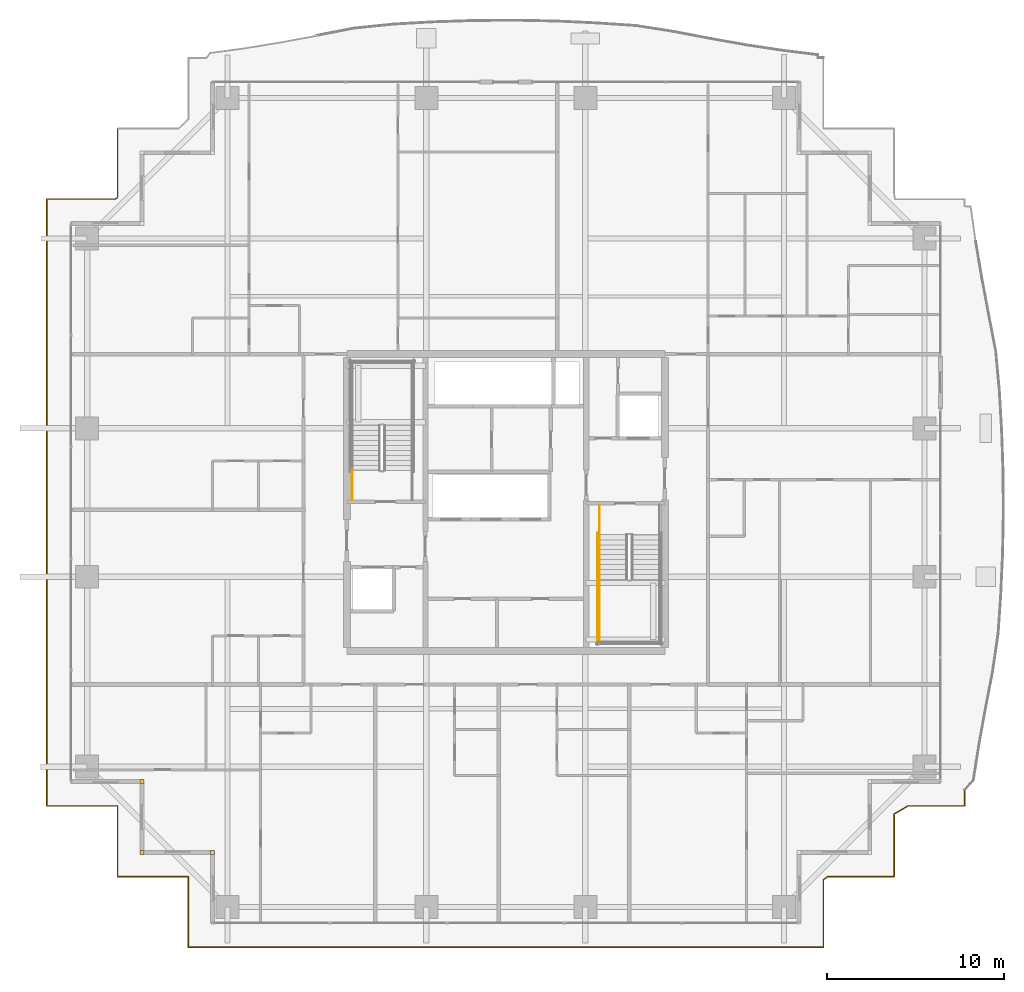
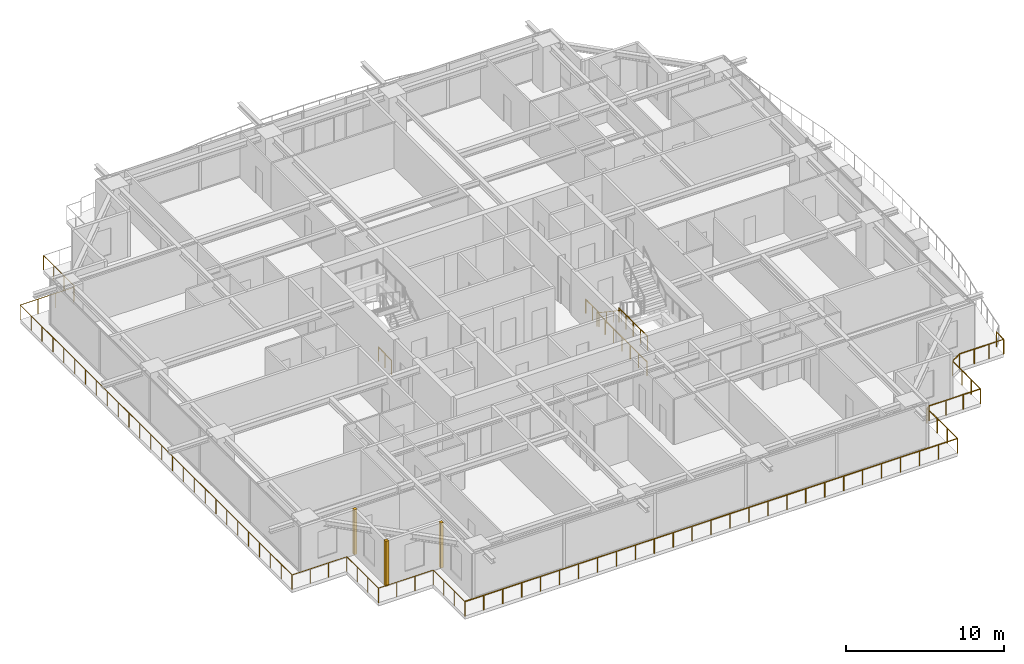
# One storey, part 29 of 33: 7 railings, 3 coverings.
"""IFC4 building model written with IfcOpenShell, lengths in metres."""

from ifc_helpers import new_model, si_unit, direction, frame, origin, origin_2d, place, context, subcontext, project, spatial, rectangle, circle, extrude, source, transform, mapped, material, layer, layer_set, type_object, element, save


model = new_model("IFC4")

# Units and contexts
model_context = context("Model", 3, precision=1e-05, world=origin(), true_north=direction((0.0, 1.0)))
body_context = subcontext(model_context, "Body", "Model", "MODEL_VIEW")
ifc_project = project(units=[si_unit("LENGTHUNIT", "METRE"), si_unit("AREAUNIT", "SQUARE_METRE"), si_unit("VOLUMEUNIT", "CUBIC_METRE"), si_unit("PLANEANGLEUNIT", "RADIAN"), si_unit("MASSUNIT", "GRAM", prefix="KILO")], contexts=[model_context])

# Site, building, storey
site_placement = place(None, origin())
site = spatial("IfcSite", under=ifc_project, at=site_placement, CompositionType="ELEMENT")
building_placement = place(site_placement, origin())
building = spatial("IfcBuilding", under=site, at=building_placement, Name="Serunith Strait Residences", CompositionType="ELEMENT")
storey_placement = place(building_placement, frame((0.0, 0.0, 150.14990234375)))
storey = spatial("IfcBuildingStorey", under=building, at=storey_placement, Name="L37", CompositionType="ELEMENT", Elevation=150.14990234375)

# Railings
ifc_material_1 = material(Name="Stainless Steel & Laminated Glass Balustrade", Category="steel")
railing_type_1 = type_object("IfcRailingType", Name="RLG-BALC-1150", PredefinedType="BALUSTRADE", material=ifc_material_1)
railing_1_placement = place(storey_placement, frame((58.3798828125, 8.923583984375, -0.0498046875)))
element("IfcRailing", 1, at=railing_1_placement, inside=storey, type_object=railing_type_1, Name="L37 Swirling Balcony Perimeter Balustrade 7", PredefinedType="BALUSTRADE", context=body_context, shape_type="SweptSolid", body=[
    extrude(circle(Radius=0.02392578125, at=origin_2d()), frame((0.0, -0.001953125, 1.1259765625), z_axis=(0.0, -1.0, 0.0), x_axis=(1.0, 0.0, 0.0)), (0.0, 0.0, 1.0), 0.899658203125),
    extrude(circle(Radius=0.02392578125, at=origin_2d()), frame((-0.001953125, -0.903564453125, 1.1259765625), z_axis=(-1.0, 0.0, 0.0), x_axis=(0.0, -1.0, 0.0)), (0.0, 0.0, 1.0), 3.217041015625),
    extrude(circle(Radius=0.02392578125, at=origin_2d()), frame((-3.22265625, -0.904541015625, 1.1259765625), z_axis=(-0.859222432477, -0.511602200472, 0.0), x_axis=(0.511602200472, -0.859222432477, 0.0)), (0.0, 0.0, 1.0), 0.902587890625),
    extrude(circle(Radius=0.02392578125, at=origin_2d()), frame((-4.0, -1.369384765625, 1.1259765625), z_axis=(0.0, -1.0, 0.0), x_axis=(1.0, 0.0, 0.0)), (0.0, 0.0, 1.0), 3.5322265625),
    extrude(circle(Radius=0.02392578125, at=origin_2d()), frame((-4.001953125, -4.903564453125, 1.1259765625), z_axis=(-1.0, 0.0, 0.0), x_axis=(0.0, -1.0, 0.0)), (0.0, 0.0, 1.0), 3.774169921875),
    extrude(circle(Radius=0.02392578125, at=origin_2d()), frame((-7.779541015625, -4.90478515625, 1.1259765625), z_axis=(-0.778021630841, -0.62823748849, 0.0), x_axis=(0.62823748849, -0.778021630841, 0.0)), (0.0, 0.0, 1.0), 0.28125),
    extrude(circle(Radius=0.02392578125, at=origin_2d()), frame((-8.0, -5.084716796875, 1.1259765625), z_axis=(0.0, -1.0, 0.0), x_axis=(1.0, 0.0, 0.0)), (0.0, 0.0, 1.0), 3.81689453125),
    extrude(circle(Radius=0.02392578125, at=origin_2d()), frame((-8.001953125, -8.903564453125, 1.1259765625), z_axis=(-1.0, 0.0, 0.0), x_axis=(0.0, -1.0, 0.0)), (0.0, 0.0, 1.0), 35.9560546875),
    extrude(circle(Radius=0.02099609375, at=origin_2d()), origin(), (0.0, 0.0, 1.0), 1.099853515625),
    extrude(circle(Radius=0.02099609375, at=origin_2d()), frame((0.0, -0.903564453125, 0.0)), (0.0, 0.0, 1.0), 1.099853515625),
    extrude(circle(Radius=0.02099609375, at=origin_2d()), frame((-1.07373046875, -0.903564453125, 0.0)), (0.0, 0.0, 1.0), 1.099853515625),
    extrude(circle(Radius=0.02099609375, at=origin_2d()), frame((-2.147216796875, -0.903564453125, 0.0)), (0.0, 0.0, 1.0), 1.099853515625),
    extrude(circle(Radius=0.02099609375, at=origin_2d()), frame((-3.220947265625, -0.903564453125, 0.0)), (0.0, 0.0, 1.0), 1.099853515625),
    extrude(circle(Radius=0.02099609375, at=origin_2d()), frame((-4.0, -1.367431640625, 0.0)), (0.0, 0.0, 1.0), 1.099853515625),
    extrude(circle(Radius=0.02099609375, at=origin_2d()), frame((-4.0, -2.546142578125, 0.0)), (0.0, 0.0, 1.0), 1.099853515625),
    extrude(circle(Radius=0.02099609375, at=origin_2d()), frame((-4.0, -3.724853515625, 0.0)), (0.0, 0.0, 1.0), 1.099853515625),
    extrude(circle(Radius=0.02099609375, at=origin_2d()), frame((-4.0, -4.903564453125, 0.0)), (0.0, 0.0, 1.0), 1.099853515625),
    extrude(circle(Radius=0.02099609375, at=origin_2d()), frame((-5.25927734375, -4.903564453125, 0.0)), (0.0, 0.0, 1.0), 1.099853515625),
    extrude(circle(Radius=0.02099609375, at=origin_2d()), frame((-6.518798828125, -4.903564453125, 0.0)), (0.0, 0.0, 1.0), 1.099853515625),
    extrude(circle(Radius=0.02099609375, at=origin_2d()), frame((-7.778076171875, -4.903564453125, 0.0)), (0.0, 0.0, 1.0), 1.099853515625),
    extrude(circle(Radius=0.02099609375, at=origin_2d()), frame((-8.0, -5.082763671875, 0.0)), (0.0, 0.0, 1.0), 1.099853515625),
    extrude(circle(Radius=0.02099609375, at=origin_2d()), frame((-8.0, -6.3564453125, 0.0)), (0.0, 0.0, 1.0), 1.099853515625),
    extrude(circle(Radius=0.02099609375, at=origin_2d()), frame((-8.0, -7.6298828125, 0.0)), (0.0, 0.0, 1.0), 1.099853515625),
    extrude(circle(Radius=0.02099609375, at=origin_2d()), frame((-8.0, -8.903564453125, 0.0)), (0.0, 0.0, 1.0), 1.099853515625),
    extrude(circle(Radius=0.02099609375, at=origin_2d()), frame((-9.383056640625, -8.903564453125, 0.0)), (0.0, 0.0, 1.0), 1.099853515625),
    extrude(circle(Radius=0.02099609375, at=origin_2d()), frame((-10.76611328125, -8.903564453125, 0.0)), (0.0, 0.0, 1.0), 1.099853515625),
    extrude(circle(Radius=0.02099609375, at=origin_2d()), frame((-12.149169921875, -8.903564453125, 0.0)), (0.0, 0.0, 1.0), 1.099853515625),
    extrude(circle(Radius=0.02099609375, at=origin_2d()), frame((-13.5322265625, -8.903564453125, 0.0)), (0.0, 0.0, 1.0), 1.099853515625),
    extrude(circle(Radius=0.02099609375, at=origin_2d()), frame((-14.915283203125, -8.903564453125, 0.0)), (0.0, 0.0, 1.0), 1.099853515625),
    extrude(circle(Radius=0.02099609375, at=origin_2d()), frame((-16.29833984375, -8.903564453125, 0.0)), (0.0, 0.0, 1.0), 1.099853515625),
    extrude(circle(Radius=0.02099609375, at=origin_2d()), frame((-17.681640625, -8.903564453125, 0.0)), (0.0, 0.0, 1.0), 1.099853515625),
    extrude(circle(Radius=0.02099609375, at=origin_2d()), frame((-19.064697265625, -8.903564453125, 0.0)), (0.0, 0.0, 1.0), 1.099853515625),
    extrude(circle(Radius=0.02099609375, at=origin_2d()), frame((-20.44775390625, -8.903564453125, 0.0)), (0.0, 0.0, 1.0), 1.099853515625),
    extrude(circle(Radius=0.02099609375, at=origin_2d()), frame((-21.830810546875, -8.903564453125, 0.0)), (0.0, 0.0, 1.0), 1.099853515625),
    extrude(circle(Radius=0.02099609375, at=origin_2d()), frame((-23.2138671875, -8.903564453125, 0.0)), (0.0, 0.0, 1.0), 1.099853515625),
    extrude(circle(Radius=0.02099609375, at=origin_2d()), frame((-24.596923828125, -8.903564453125, 0.0)), (0.0, 0.0, 1.0), 1.099853515625),
    extrude(circle(Radius=0.02099609375, at=origin_2d()), frame((-25.97998046875, -8.903564453125, 0.0)), (0.0, 0.0, 1.0), 1.099853515625),
    extrude(circle(Radius=0.02099609375, at=origin_2d()), frame((-27.363037109375, -8.903564453125, 0.0)), (0.0, 0.0, 1.0), 1.099853515625),
    extrude(circle(Radius=0.02099609375, at=origin_2d()), frame((-28.74609375, -8.903564453125, 0.0)), (0.0, 0.0, 1.0), 1.099853515625),
    extrude(circle(Radius=0.02099609375, at=origin_2d()), frame((-30.129150390625, -8.903564453125, 0.0)), (0.0, 0.0, 1.0), 1.099853515625),
    extrude(circle(Radius=0.02099609375, at=origin_2d()), frame((-31.51220703125, -8.903564453125, 0.0)), (0.0, 0.0, 1.0), 1.099853515625),
    extrude(circle(Radius=0.02099609375, at=origin_2d()), frame((-32.895263671875, -8.903564453125, 0.0)), (0.0, 0.0, 1.0), 1.099853515625),
    extrude(circle(Radius=0.02099609375, at=origin_2d()), frame((-34.2783203125, -8.903564453125, 0.0)), (0.0, 0.0, 1.0), 1.099853515625),
    extrude(circle(Radius=0.02099609375, at=origin_2d()), frame((-35.66162109375, -8.903564453125, 0.0)), (0.0, 0.0, 1.0), 1.099853515625),
    extrude(circle(Radius=0.02099609375, at=origin_2d()), frame((-37.044677734375, -8.903564453125, 0.0)), (0.0, 0.0, 1.0), 1.099853515625),
    extrude(circle(Radius=0.02099609375, at=origin_2d()), frame((-38.427734375, -8.903564453125, 0.0)), (0.0, 0.0, 1.0), 1.099853515625),
    extrude(circle(Radius=0.02099609375, at=origin_2d()), frame((-39.810791015625, -8.903564453125, 0.0)), (0.0, 0.0, 1.0), 1.099853515625),
    extrude(circle(Radius=0.02099609375, at=origin_2d()), frame((-41.19384765625, -8.903564453125, 0.0)), (0.0, 0.0, 1.0), 1.099853515625),
    extrude(circle(Radius=0.02099609375, at=origin_2d()), frame((-42.576904296875, -8.903564453125, 0.0)), (0.0, 0.0, 1.0), 1.099853515625),
    extrude(circle(Radius=0.02099609375, at=origin_2d()), frame((-43.9599609375, -8.903564453125, 0.0)), (0.0, 0.0, 1.0), 1.099853515625),
])
railing_2_placement = place(storey_placement, frame((14.419921875, 0.02001953125, -0.0498046875)))
element("IfcRailing", 2, at=railing_2_placement, inside=storey, type_object=railing_type_1, Name="L37 Swirling Balcony Perimeter Balustrade 8", PredefinedType="BALUSTRADE", context=body_context, shape_type="SweptSolid", body=[
    extrude(circle(Radius=0.02392578125, at=origin_2d()), frame((0.0, 0.001953125, 1.1259765625), z_axis=(0.0, 1.0, 0.0), x_axis=(-1.0, 0.0, 0.0)), (0.0, 0.0, 1.0), 3.99609375),
    extrude(circle(Radius=0.02392578125, at=origin_2d()), frame((-0.001953125, 4.0, 1.1259765625), z_axis=(-1.0, 0.0, 0.0), x_axis=(0.0, -1.0, 0.0)), (0.0, 0.0, 1.0), 3.99609375),
    extrude(circle(Radius=0.02392578125, at=origin_2d()), frame((-4.0, 4.001953125, 1.1259765625), z_axis=(0.0, 1.0, 0.0), x_axis=(-1.0, 0.0, 0.0)), (0.0, 0.0, 1.0), 3.99609375),
    extrude(circle(Radius=0.02392578125, at=origin_2d()), frame((-4.001953125, 8.0, 1.1259765625), z_axis=(-1.0, 0.0, 0.0), x_axis=(0.0, -1.0, 0.0)), (0.0, 0.0, 1.0), 3.99609375),
    extrude(circle(Radius=0.02392578125, at=origin_2d()), frame((-8.0, 8.001953125, 1.1259765625), z_axis=(0.0, 1.0, 0.0), x_axis=(-1.0, 0.0, 0.0)), (0.0, 0.0, 1.0), 34.35595703125),
    extrude(circle(Radius=0.02392578125, at=origin_2d()), frame((-7.998046875, 42.35986328125, 1.1259765625), z_axis=(1.0, 0.0, 0.0), x_axis=(0.0, 1.0, 0.0)), (0.0, 0.0, 1.0), 3.861083984375),
    extrude(circle(Radius=0.02392578125, at=origin_2d()), frame((-4.13330078125, 42.361083984375, 1.1259765625), z_axis=(0.808862567734, 0.587997743633, 0.0), x_axis=(-0.587997743633, 0.808862567734, 0.0)), (0.0, 0.0, 1.0), 0.162841796875),
    extrude(circle(Radius=0.02392578125, at=origin_2d()), frame((-4.0, 42.4599609375, 1.1259765625), z_axis=(0.0, 1.0, 0.0), x_axis=(-1.0, 0.0, 0.0)), (0.0, 0.0, 1.0), 3.89794921875),
    extrude(circle(Radius=0.02099609375, at=origin_2d()), origin(), (0.0, 0.0, 1.0), 1.099853515625),
    extrude(circle(Radius=0.02099609375, at=origin_2d()), frame((0.0, 1.333251953125, 0.0)), (0.0, 0.0, 1.0), 1.099853515625),
    extrude(circle(Radius=0.02099609375, at=origin_2d()), frame((0.0, 2.666748046875, 0.0)), (0.0, 0.0, 1.0), 1.099853515625),
    extrude(circle(Radius=0.02099609375, at=origin_2d()), frame((0.0, 4.0, 0.0)), (0.0, 0.0, 1.0), 1.099853515625),
    extrude(circle(Radius=0.02099609375, at=origin_2d()), frame((-1.333251953125, 4.0, 0.0)), (0.0, 0.0, 1.0), 1.099853515625),
    extrude(circle(Radius=0.02099609375, at=origin_2d()), frame((-2.666748046875, 4.0, 0.0)), (0.0, 0.0, 1.0), 1.099853515625),
    extrude(circle(Radius=0.02099609375, at=origin_2d()), frame((-4.0, 4.0, 0.0)), (0.0, 0.0, 1.0), 1.099853515625),
    extrude(circle(Radius=0.02099609375, at=origin_2d()), frame((-4.0, 5.333251953125, 0.0)), (0.0, 0.0, 1.0), 1.099853515625),
    extrude(circle(Radius=0.02099609375, at=origin_2d()), frame((-4.0, 6.666748046875, 0.0)), (0.0, 0.0, 1.0), 1.099853515625),
    extrude(circle(Radius=0.02099609375, at=origin_2d()), frame((-4.0, 8.0, 0.0)), (0.0, 0.0, 1.0), 1.099853515625),
    extrude(circle(Radius=0.02099609375, at=origin_2d()), frame((-5.333251953125, 8.0, 0.0)), (0.0, 0.0, 1.0), 1.099853515625),
    extrude(circle(Radius=0.02099609375, at=origin_2d()), frame((-6.666748046875, 8.0, 0.0)), (0.0, 0.0, 1.0), 1.099853515625),
    extrude(circle(Radius=0.02099609375, at=origin_2d()), frame((-8.0, 8.0, 0.0)), (0.0, 0.0, 1.0), 1.099853515625),
    extrude(circle(Radius=0.02099609375, at=origin_2d()), frame((-8.0, 9.37451171875, 0.0)), (0.0, 0.0, 1.0), 1.099853515625),
    extrude(circle(Radius=0.02099609375, at=origin_2d()), frame((-8.0, 10.748779296875, 0.0)), (0.0, 0.0, 1.0), 1.099853515625),
    extrude(circle(Radius=0.02099609375, at=origin_2d()), frame((-8.0, 12.123291015625, 0.0)), (0.0, 0.0, 1.0), 1.099853515625),
    extrude(circle(Radius=0.02099609375, at=origin_2d()), frame((-8.0, 13.49755859375, 0.0)), (0.0, 0.0, 1.0), 1.099853515625),
    extrude(circle(Radius=0.02099609375, at=origin_2d()), frame((-8.0, 14.8720703125, 0.0)), (0.0, 0.0, 1.0), 1.099853515625),
    extrude(circle(Radius=0.02099609375, at=origin_2d()), frame((-8.0, 16.246337890625, 0.0)), (0.0, 0.0, 1.0), 1.099853515625),
    extrude(circle(Radius=0.02099609375, at=origin_2d()), frame((-8.0, 17.620849609375, 0.0)), (0.0, 0.0, 1.0), 1.099853515625),
    extrude(circle(Radius=0.02099609375, at=origin_2d()), frame((-8.0, 18.9951171875, 0.0)), (0.0, 0.0, 1.0), 1.099853515625),
    extrude(circle(Radius=0.02099609375, at=origin_2d()), frame((-8.0, 20.36962890625, 0.0)), (0.0, 0.0, 1.0), 1.099853515625),
    extrude(circle(Radius=0.02099609375, at=origin_2d()), frame((-8.0, 21.743896484375, 0.0)), (0.0, 0.0, 1.0), 1.099853515625),
    extrude(circle(Radius=0.02099609375, at=origin_2d()), frame((-8.0, 23.118408203125, 0.0)), (0.0, 0.0, 1.0), 1.099853515625),
    extrude(circle(Radius=0.02099609375, at=origin_2d()), frame((-8.0, 24.49267578125, 0.0)), (0.0, 0.0, 1.0), 1.099853515625),
    extrude(circle(Radius=0.02099609375, at=origin_2d()), frame((-8.0, 25.8671875, 0.0)), (0.0, 0.0, 1.0), 1.099853515625),
    extrude(circle(Radius=0.02099609375, at=origin_2d()), frame((-8.0, 27.241455078125, 0.0)), (0.0, 0.0, 1.0), 1.099853515625),
    extrude(circle(Radius=0.02099609375, at=origin_2d()), frame((-8.0, 28.615966796875, 0.0)), (0.0, 0.0, 1.0), 1.099853515625),
    extrude(circle(Radius=0.02099609375, at=origin_2d()), frame((-8.0, 29.990234375, 0.0)), (0.0, 0.0, 1.0), 1.099853515625),
    extrude(circle(Radius=0.02099609375, at=origin_2d()), frame((-8.0, 31.36474609375, 0.0)), (0.0, 0.0, 1.0), 1.099853515625),
    extrude(circle(Radius=0.02099609375, at=origin_2d()), frame((-8.0, 32.739013671875, 0.0)), (0.0, 0.0, 1.0), 1.099853515625),
    extrude(circle(Radius=0.02099609375, at=origin_2d()), frame((-8.0, 34.113525390625, 0.0)), (0.0, 0.0, 1.0), 1.099853515625),
    extrude(circle(Radius=0.02099609375, at=origin_2d()), frame((-8.0, 35.48779296875, 0.0)), (0.0, 0.0, 1.0), 1.099853515625),
    extrude(circle(Radius=0.02099609375, at=origin_2d()), frame((-8.0, 36.8623046875, 0.0)), (0.0, 0.0, 1.0), 1.099853515625),
    extrude(circle(Radius=0.02099609375, at=origin_2d()), frame((-8.0, 38.236572265625, 0.0)), (0.0, 0.0, 1.0), 1.099853515625),
    extrude(circle(Radius=0.02099609375, at=origin_2d()), frame((-8.0, 39.611083984375, 0.0)), (0.0, 0.0, 1.0), 1.099853515625),
    extrude(circle(Radius=0.02099609375, at=origin_2d()), frame((-8.0, 40.9853515625, 0.0)), (0.0, 0.0, 1.0), 1.099853515625),
    extrude(circle(Radius=0.02099609375, at=origin_2d()), frame((-8.0, 42.35986328125, 0.0)), (0.0, 0.0, 1.0), 1.099853515625),
    extrude(circle(Radius=0.02099609375, at=origin_2d()), frame((-6.711669921875, 42.35986328125, 0.0)), (0.0, 0.0, 1.0), 1.099853515625),
    extrude(circle(Radius=0.02099609375, at=origin_2d()), frame((-5.42333984375, 42.35986328125, 0.0)), (0.0, 0.0, 1.0), 1.099853515625),
    extrude(circle(Radius=0.02099609375, at=origin_2d()), frame((-4.135009765625, 42.35986328125, 0.0)), (0.0, 0.0, 1.0), 1.099853515625),
    extrude(circle(Radius=0.02099609375, at=origin_2d()), frame((-4.0, 42.4580078125, 0.0)), (0.0, 0.0, 1.0), 1.099853515625),
    extrude(circle(Radius=0.02099609375, at=origin_2d()), frame((-4.0, 43.758544921875, 0.0)), (0.0, 0.0, 1.0), 1.099853515625),
    extrude(circle(Radius=0.02099609375, at=origin_2d()), frame((-4.0, 45.059326171875, 0.0)), (0.0, 0.0, 1.0), 1.099853515625),
    extrude(circle(Radius=0.02099609375, at=origin_2d()), frame((-4.0, 46.35986328125, 0.0)), (0.0, 0.0, 1.0), 1.099853515625),
])
ifc_material_2 = material(Name="Brushed stainless steel 316L", Category="steel")
railing_type_2 = type_object("IfcRailingType", Name="RLG-STAIR-GUARD", PredefinedType="BALUSTRADE", material=ifc_material_2)
railing_3_placement = place(storey_placement, frame((23.699951171875, 25.35009765625, 0.0)))
element("IfcRailing", 3, at=railing_3_placement, inside=storey, type_object=railing_type_2, Name="L37 ST-1 stair guard 9", PredefinedType="BALUSTRADE", context=body_context, shape_type="SweptSolid", body=[
    extrude(circle(Radius=0.02392578125, at=origin_2d()), frame((0.0, 0.001953125, 1.076171875), z_axis=(0.0, 1.0, 0.0), x_axis=(-1.0, 0.0, 0.0)), (0.0, 0.0, 1.0), 1.676025390625),
    extrude(circle(Radius=0.02099609375, at=origin_2d()), origin(), (0.0, 0.0, 1.0), 1.050048828125),
    extrude(circle(Radius=0.02099609375, at=origin_2d()), frame((0.0, 0.83984375, 0.0)), (0.0, 0.0, 1.0), 1.050048828125),
    extrude(circle(Radius=0.02099609375, at=origin_2d()), frame((0.0, 1.679931640625, 0.0)), (0.0, 0.0, 1.0), 1.050048828125),
])
railing_4_placement = place(storey_placement, frame((37.699951171875, 20.85009765625, 1.875)))
element("IfcRailing", 4, at=railing_4_placement, inside=storey, type_object=railing_type_2, Name="L37 ST-2 stair guard 3", PredefinedType="BALUSTRADE", context=body_context, shape_type="SweptSolid", body=[
    extrude(circle(Radius=0.02392578125, at=origin_2d()), frame((0.0, -0.001953125, 1.076171875), z_axis=(0.0, -1.0, 0.0), x_axis=(1.0, 0.0, 0.0)), (0.0, 0.0, 1.0), 3.59619140625),
    extrude(circle(Radius=0.02099609375, at=origin_2d()), origin(), (0.0, 0.0, 1.0), 1.050048828125),
    extrude(circle(Radius=0.02099609375, at=origin_2d()), frame((0.0, -0.89990234375, 0.0)), (0.0, 0.0, 1.0), 1.050048828125),
    extrude(circle(Radius=0.02099609375, at=origin_2d()), frame((0.0, -1.800048828125, 0.0)), (0.0, 0.0, 1.0), 1.050048828125),
    extrude(circle(Radius=0.02099609375, at=origin_2d()), frame((0.0, -2.7001953125, 0.0)), (0.0, 0.0, 1.0), 1.050048828125),
    extrude(circle(Radius=0.02099609375, at=origin_2d()), frame((0.0, -3.60009765625, 0.0)), (0.0, 0.0, 1.0), 1.050048828125),
])
railing_5_placement = place(storey_placement, frame((37.699951171875, 25.050048828125, 0.0)))
element("IfcRailing", 5, at=railing_5_placement, inside=storey, type_object=railing_type_2, Name="L37 ST-2 stair guard 8", PredefinedType="BALUSTRADE", context=body_context, shape_type="SweptSolid", body=[
    extrude(circle(Radius=0.02392578125, at=origin_2d()), frame((0.0, -0.001953125, 1.076171875), z_axis=(0.0, -1.0, 0.0), x_axis=(1.0, 0.0, 0.0)), (0.0, 0.0, 1.0), 1.676025390625),
    extrude(circle(Radius=0.02099609375, at=origin_2d()), origin(), (0.0, 0.0, 1.0), 1.050048828125),
    extrude(circle(Radius=0.02099609375, at=origin_2d()), frame((0.0, -0.83984375, 0.0)), (0.0, 0.0, 1.0), 1.050048828125),
    extrude(circle(Radius=0.02099609375, at=origin_2d()), frame((0.0, -1.679931640625, 0.0)), (0.0, 0.0, 1.0), 1.050048828125),
])
railing_6_placement = place(storey_placement, frame((37.60009765625, 23.469970703125, 0.0)))
element("IfcRailing", 6, at=railing_6_placement, inside=storey, type_object=railing_type_2, Name="L37 ST-2 stair guard 10", PredefinedType="BALUSTRADE", context=body_context, shape_type="SweptSolid", body=[
    extrude(circle(Radius=0.02392578125, at=origin_2d()), frame((0.0, -0.001953125, 1.076171875), z_axis=(0.0, -1.0, 0.0), x_axis=(1.0, 0.0, 0.0)), (0.0, 0.0, 1.0), 6.316162109375),
    extrude(circle(Radius=0.02099609375, at=origin_2d()), origin(), (0.0, 0.0, 1.0), 1.050048828125),
    extrude(circle(Radius=0.02099609375, at=origin_2d()), frame((0.0, -1.05322265625, 0.0)), (0.0, 0.0, 1.0), 1.050048828125),
    extrude(circle(Radius=0.02099609375, at=origin_2d()), frame((0.0, -2.106689453125, 0.0)), (0.0, 0.0, 1.0), 1.050048828125),
    extrude(circle(Radius=0.02099609375, at=origin_2d()), frame((0.0, -3.16015625, 0.0)), (0.0, 0.0, 1.0), 1.050048828125),
    extrude(circle(Radius=0.02099609375, at=origin_2d()), frame((0.0, -4.21337890625, 0.0)), (0.0, 0.0, 1.0), 1.050048828125),
    extrude(circle(Radius=0.02099609375, at=origin_2d()), frame((0.0, -5.2666015625, 0.0)), (0.0, 0.0, 1.0), 1.050048828125),
    extrude(circle(Radius=0.02099609375, at=origin_2d()), frame((0.0, -6.320068359375, 0.0)), (0.0, 0.0, 1.0), 1.050048828125),
])
railing_type_3 = type_object("IfcRailingType", Name="RLG-STAIR-HR", PredefinedType="HANDRAIL", material=ifc_material_2)
railing_7_placement = place(storey_placement, frame((37.699951171875, 23.3701171875, 0.1875)))
element("IfcRailing", 7, at=railing_7_placement, inside=storey, type_object=railing_type_3, Name="L37 ST-2 stair handrail 1", PredefinedType="HANDRAIL", context=body_context, shape_type="SweptSolid", body=[
    extrude(circle(Radius=0.02392578125, at=origin_2d()), frame((0.0, -0.001708984375, 0.876953125), z_axis=(0.0, -0.830208209119, 0.557453432594), x_axis=(1.0, 0.0, 0.0)), (0.0, 0.0, 1.0), 3.36865234375),
    extrude(circle(Radius=0.02099609375, at=origin_2d()), origin(), (0.0, 0.0, 1.0), 0.849853515625),
    extrude(circle(Radius=0.02099609375, at=origin_2d()), frame((0.0, -0.933349609375, 0.626708984375)), (0.0, 0.0, 1.0), 0.849853515625),
    extrude(circle(Radius=0.02099609375, at=origin_2d()), frame((0.0, -1.86669921875, 1.25341796875)), (0.0, 0.0, 1.0), 0.849853515625),
    extrude(circle(Radius=0.02099609375, at=origin_2d()), frame((0.0, -2.800048828125, 1.880126953125)), (0.0, 0.0, 1.0), 0.849853515625),
])

# Coverings
ifc_material_3 = material(Name="Pale-Champagne Anodised Aluminium", Category="aluminium")
ifc_layer = layer(ifc_material_3, 0.219970703125, Name="Pale-Champagne Anodised Aluminium")
ifc_layer_set = layer_set([ifc_layer], Name="Pale-Champagne Anodised Aluminium")
covering_type = type_object("IfcCoveringType", Name="COV-CORN-TRIM", PredefinedType="CLADDING", material=ifc_layer_set)
shared_shape = source(origin(), body_context, "Body", "SweptSolid", [
    extrude(rectangle(XDim=0.221923828125, YDim=0.221923828125, at=origin_2d()), origin(), (0.0, 0.0, 1.0), 3.47509765625),
])
for number, where, z_axis, x_axis, name in (
    (8, (11.800048828125, 9.39990234375, 0.0), (0.0, 0.0, 1.0), (1.0, 0.0, 0.0), "L37 Girih Serrated Corner Trim Post 17"),
    (9, (11.800048828125, 5.39990234375, 0.0), (0.0, 0.0, 1.0), (1.0, 0.0, 0.0), "L37 Girih Serrated Corner Trim Post 18"),
    (10, (15.800048828125, 5.39990234375, 0.0), (0.0, 0.0, 1.0), (1.0, 0.0, 0.0), "L37 Girih Serrated Corner Trim Post 19"),
):
    element("IfcCovering", number, at=place(storey_placement, frame(where, z_axis=z_axis, x_axis=x_axis)), inside=storey, type_object=covering_type, Name=name, PredefinedType="CLADDING", context=body_context, shape_type="MappedRepresentation", body=[
        mapped(shared_shape, transform((0.0, 0.0, 0.0), scale=1.0)),
    ])

save(model, "model.ifc")
